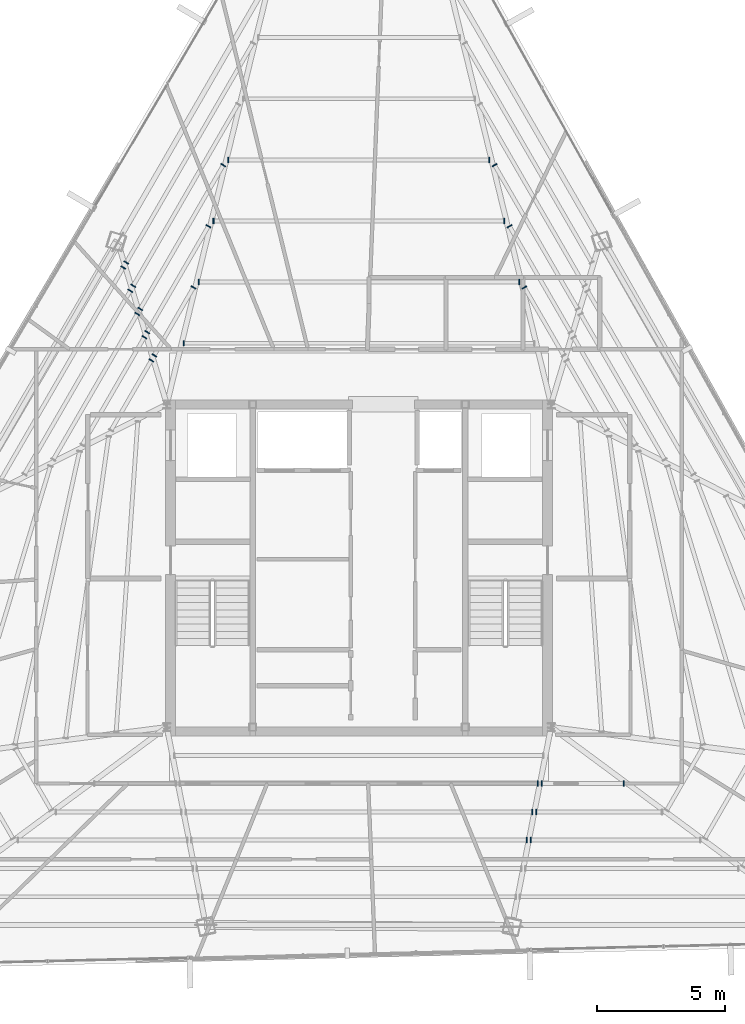
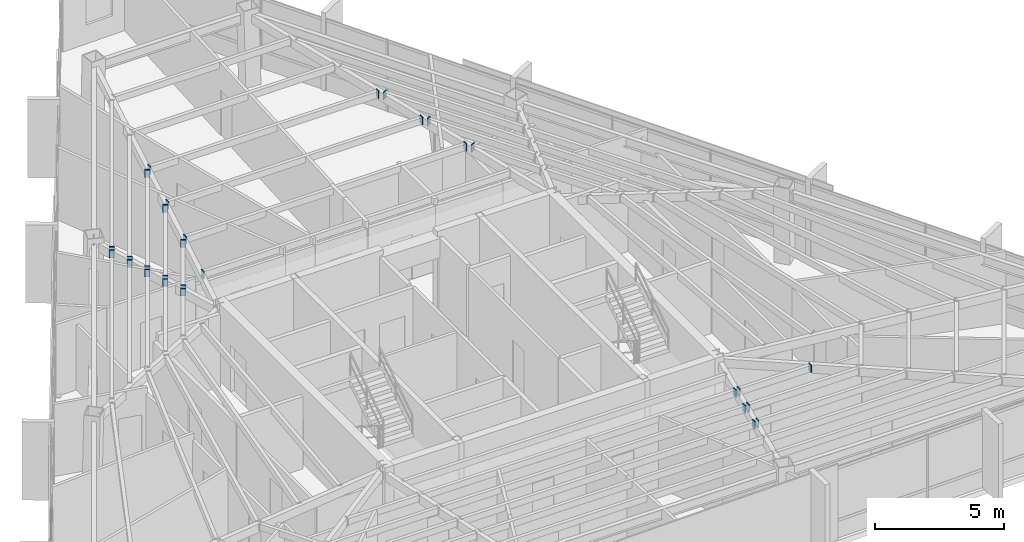
# One storey, part 40 of 48: 30 plates.
"""IFC4 building model written with IfcOpenShell, lengths in metres."""

from ifc_helpers import new_model, si_unit, direction, frame, origin, origin_2d, place, context, subcontext, project, spatial, rectangle, extrude, source, transform, mapped, material, layer, layer_set, type_object, type_shapes, element, save


model = new_model("IFC4")

# Units and contexts
model_context = context("Model", 3, precision=1e-05, world=origin(), true_north=direction((0.0, 1.0)))
body_context = subcontext(model_context, "Body", "Model", "MODEL_VIEW")
ifc_project = project(units=[si_unit("LENGTHUNIT", "METRE"), si_unit("AREAUNIT", "SQUARE_METRE"), si_unit("VOLUMEUNIT", "CUBIC_METRE"), si_unit("PLANEANGLEUNIT", "RADIAN"), si_unit("MASSUNIT", "GRAM", prefix="KILO")], contexts=[model_context])

# Site, building, storey
site_placement = place(None, origin())
site = spatial("IfcSite", under=ifc_project, at=site_placement, CompositionType="ELEMENT")
building_placement = place(site_placement, origin())
building = spatial("IfcBuilding", under=site, at=building_placement, Name="Caelisora Broadcast Tower", CompositionType="ELEMENT")
storey_placement = place(building_placement, frame((0.0, 0.0, 270.0)))
storey = spatial("IfcBuildingStorey", under=building, at=storey_placement, Name="L71", CompositionType="ELEMENT", Elevation=270.0)

# Plates
ifc_material = material(Name="Steel Grade 350 L15 (AS/NZS 3678)", Category="steel")
ifc_layer = layer(ifc_material, 0.0400390625, Name="Steel Grade 350 L15 (AS/NZS 3678)")
ifc_layer_set = layer_set([ifc_layer], Name="Steel Grade 350 L15 (AS/NZS 3678)")
plate_type = type_object("IfcPlateType", Name="GP04", PredefinedType="USERDEFINED", material=ifc_layer_set)
shared_shape = source(origin(), body_context, "Body", "SweptSolid", [
    extrude(rectangle(XDim=0.2099609375, YDim=0.0400390625, at=origin_2d()), origin(), (0.0, 0.0, 1.0), 0.360107421875),
])
type_shapes(plate_type, [shared_shape])
for number, where, z_axis, x_axis, name in (
    (1, (31.160888671875, 32.386474609375, 3.06982421875), (0.0, 0.0, 1.0), (0.0, -1.0, 0.0), "L71 gusset plate GP04 (ND-SB-L71-001B)"),
    (2, (44.25830078125, 34.77294921875, 3.06982421875), (0.0, 0.0, 1.0), (0.0, -1.0, 0.0), "L71 gusset plate GP04 (ND-SB-L71-002A)"),
    (3, (31.74169921875, 34.77294921875, 3.06982421875), (0.0, 0.0, 1.0), (0.0, -1.0, 0.0), "L71 gusset plate GP04 (ND-SB-L71-002B)"),
    (4, (43.677490234375, 37.1591796875, 3.06982421875), (0.0, 0.0, 1.0), (0.0, -1.0, 0.0), "L71 gusset plate GP04 (ND-SB-L71-003A)"),
    (5, (32.322509765625, 37.1591796875, 3.06982421875), (0.0, 0.0, 1.0), (0.0, -1.0, 0.0), "L71 gusset plate GP04 (ND-SB-L71-003B)"),
    (6, (43.0966796875, 39.545654296875, 3.06982421875), (0.0, 0.0, 1.0), (0.0, -1.0, 0.0), "L71 gusset plate GP04 (ND-SB-L71-004A)"),
    (7, (32.9033203125, 39.545654296875, 3.06982421875), (0.0, 0.0, 1.0), (0.0, -1.0, 0.0), "L71 gusset plate GP04 (ND-SB-L71-004B)"),
    (8, (31.54150390625, 34.564697265625, 3.06982421875), (0.0, 0.0, 1.0), (0.866025403784, -0.5, 0.0), "L71 gusset plate GP04 (ND-SB-L71-007A)"),
    (9, (30.009765625, 31.911376953125, 3.06982421875), (0.0, 0.0, 1.0), (0.866025403784, -0.5, 0.0), "L71 gusset plate GP04 (ND-SB-L71-007B)"),
    (10, (32.12255859375, 36.951416015625, 3.06982421875), (0.0, 0.0, 1.0), (0.866025403784, -0.5, 0.0), "L71 gusset plate GP04 (ND-SB-L71-008A)"),
    (11, (29.736083984375, 32.817626953125, 3.06982421875), (0.0, 0.0, 1.0), (0.866025403784, -0.5, 0.0), "L71 gusset plate GP04 (ND-SB-L71-008B)"),
    (12, (32.703369140625, 39.337646484375, 3.06982421875), (0.0, 0.0, 1.0), (0.866025403784, -0.5, 0.0), "L71 gusset plate GP04 (ND-SB-L71-009A)"),
    (13, (29.462158203125, 33.723876953125, 3.06982421875), (0.0, 0.0, 1.0), (0.866025403784, -0.5, 0.0), "L71 gusset plate GP04 (ND-SB-L71-009B)"),
    (14, (29.1884765625, 34.630126953125, 3.06982421875), (0.0, 0.0, 1.0), (0.866025403784, -0.5, 0.0), "L71 gusset plate GP04 (ND-SB-L71-010B)"),
    (15, (28.914794921875, 35.536376953125, 3.06982421875), (0.0, 0.0, 1.0), (0.866025403784, -0.5, 0.0), "L71 gusset plate GP04 (ND-SB-L71-011B)"),
    (16, (29.8955078125, 31.713623046875, 3.06982421875), (0.0, 0.0, 1.0), (0.866025403784, -0.5, 0.0), "L71 gusset plate GP04 (ND-SB-L71-012A)"),
    (17, (29.621826171875, 32.619873046875, 3.06982421875), (0.0, 0.0, 1.0), (0.866025403784, -0.5, 0.0), "L71 gusset plate GP04 (ND-SB-L71-013A)"),
    (18, (29.347900390625, 33.526123046875, 3.06982421875), (0.0, 0.0, 1.0), (0.866025403784, -0.5, 0.0), "L71 gusset plate GP04 (ND-SB-L71-014A)"),
    (19, (29.07421875, 34.432373046875, 3.06982421875), (0.0, 0.0, 1.0), (0.866025403784, -0.5, 0.0), "L71 gusset plate GP04 (ND-SB-L71-015A)"),
    (20, (28.800537109375, 35.338623046875, 3.06982421875), (0.0, 0.0, 1.0), (0.866025403784, -0.5, 0.0), "L71 gusset plate GP04 (ND-SB-L71-016A)"),
    (21, (44.9873046875, 15.1923828125, 3.06982421875), (0.0, 0.0, 1.0), (0.0, 1.0, 0.0), "L71 gusset plate GP04 (ND-SB-L71-032B)"),
    (22, (44.7705078125, 14.088623046875, 3.06982421875), (0.0, 0.0, 1.0), (0.0, 1.0, 0.0), "L71 gusset plate GP04 (ND-SB-L71-033B)"),
    (23, (44.5537109375, 12.98486328125, 3.06982421875), (0.0, 0.0, 1.0), (0.0, 1.0, 0.0), "L71 gusset plate GP04 (ND-SB-L71-034B)"),
    (24, (45.145263671875, 15.1923828125, 3.06982421875), (0.0, 0.0, 1.0), (0.0, 1.0, 0.0), "L71 gusset plate GP04 (ND-SB-L71-037A)"),
    (25, (48.33935546875, 15.1923828125, 3.06982421875), (0.0, 0.0, 1.0), (0.0, 1.0, 0.0), "L71 gusset plate GP04 (ND-SB-L71-037B)"),
    (26, (44.928466796875, 14.088623046875, 3.06982421875), (0.0, 0.0, 1.0), (0.0, 1.0, 0.0), "L71 gusset plate GP04 (ND-SB-L71-038A)"),
    (27, (44.71142578125, 12.98486328125, 3.06982421875), (0.0, 0.0, 1.0), (0.0, 1.0, 0.0), "L71 gusset plate GP04 (ND-SB-L71-039A)"),
    (28, (44.45849609375, 34.564697265625, 3.06982421875), (0.0, 0.0, 1.0), (-0.866025403784, -0.5, 0.0), "L71 gusset plate GP04 (ND-SB-L71-056B)"),
    (29, (43.87744140625, 36.951416015625, 3.06982421875), (0.0, 0.0, 1.0), (-0.866025403784, -0.5, 0.0), "L71 gusset plate GP04 (ND-SB-L71-057B)"),
    (30, (43.296630859375, 39.337646484375, 3.06982421875), (0.0, 0.0, 1.0), (-0.866025403784, -0.5, 0.0), "L71 gusset plate GP04 (ND-SB-L71-058B)"),
):
    element("IfcPlate", number, at=place(storey_placement, frame(where, z_axis=z_axis, x_axis=x_axis)), inside=storey, type_object=plate_type, Name=name, ObjectType="GUSSET PLATE", PredefinedType="USERDEFINED", context=body_context, shape_type="MappedRepresentation", body=[
        mapped(shared_shape, transform((0.0, 0.0, 0.0), scale=1.0)),
    ])

save(model, "model.ifc")
